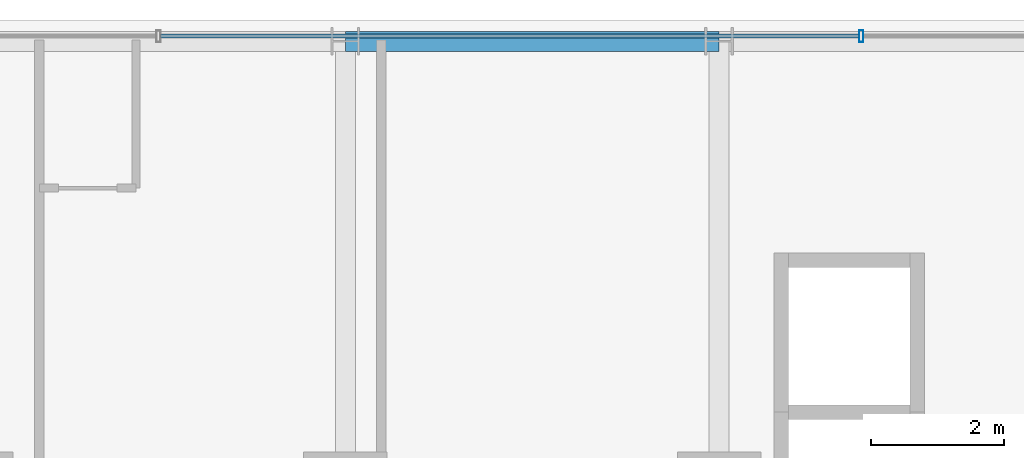
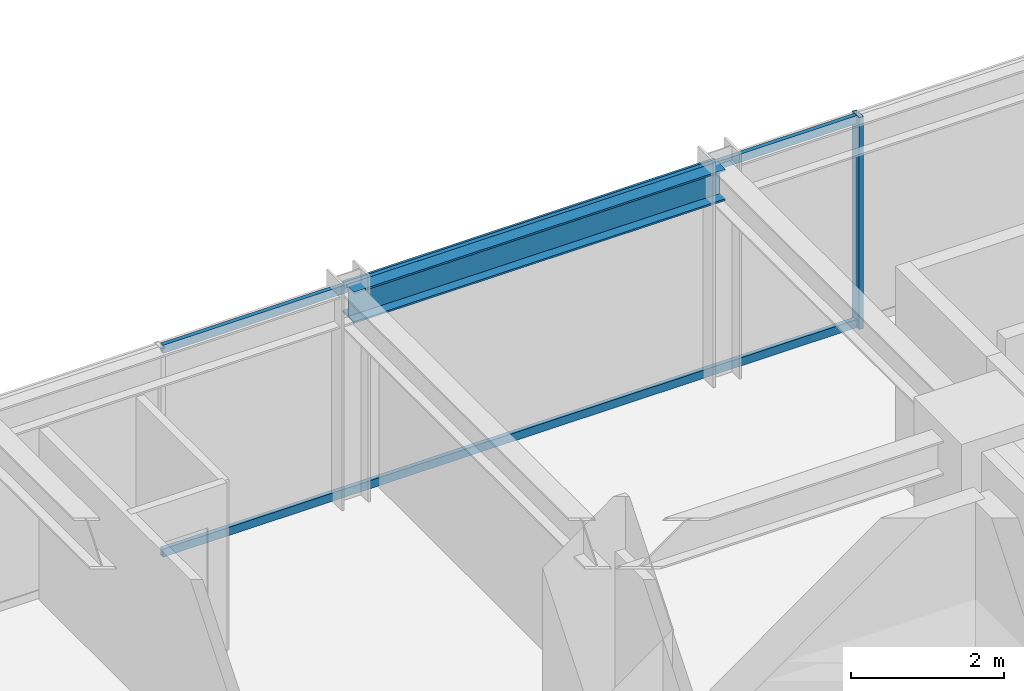
# One storey, part 22 of 31: 3 members, 1 beam, 1 element without a shape of its own.
"""IFC4 building model written with IfcOpenShell, lengths in metres."""

import ifcopenshell
import ifcopenshell.guid

model = None  # the IFC model being written
_history = None  # IfcOwnerHistory: only IFC2X3 demands one
_inside = {}  # id of a spatial element -> (the spatial element, [elements in it])
_under = {}  # id of a project, library or spatial element -> (it, [spatial elements below it])
_declared = {}  # id of a project -> (the project, [libraries it declares])
_typed = {}  # id of a type object -> (the type object, [elements of that type])
_made_of = {}  # id of a material, layer set ... -> (it, [elements and type objects made of it])


def new_model(schema):
    """Start an empty IFC model of exactly this schema.

    Asked for "IFC4X3", IfcOpenShell would pick the latest addendum, in which some entities
    have other attributes; the version numbers below select the first issue.
    IFC2X3 requires an IfcOwnerHistory on every rooted entity: one is made here for all.
    """
    global model, _history
    if schema == "IFC4X3":
        model = ifcopenshell.file(schema_version=(4, 3, 0, 0))
    else:
        model = ifcopenshell.file(schema=schema)
    _inside.clear()
    _under.clear()
    _declared.clear()
    _typed.clear()
    _made_of.clear()
    _history = None
    if model.schema == "IFC2X3":
        org = make("IfcOrganization", Name="unknown")
        user = make(
            "IfcPersonAndOrganization",
            ThePerson=make("IfcPerson", FamilyName="unknown"),
            TheOrganization=org,
        )
        app = make(
            "IfcApplication",
            ApplicationDeveloper=org,
            Version="unknown",
            ApplicationFullName="unknown",
            ApplicationIdentifier="unknown",
        )
        _history = make(
            "IfcOwnerHistory",
            OwningUser=user,
            OwningApplication=app,
            ChangeAction="ADDED",
            CreationDate=0,
        )
    return model


def make(cls, **values):
    """One entity of the class cls with the attributes given. An attribute that is None is left unset."""
    return model.create_entity(
        cls, **{name: value for name, value in values.items() if value is not None}
    )


def rooted(cls, **values):
    """An entity with a GlobalId (a new one), such as an element, a storey or a relation."""
    return make(cls, GlobalId=ifcopenshell.guid.new(), OwnerHistory=_history, **values)


def si_unit(unit_type, name, prefix=None):
    """IfcSIUnit, for example si_unit("LENGTHUNIT", "METRE", prefix="MILLI")."""
    return make("IfcSIUnit", UnitType=unit_type, Prefix=prefix, Name=name)


def assignment(units):
    """IfcUnitAssignment: the units of a project."""
    return None if units is None else make("IfcUnitAssignment", Units=units)


def point(xyz):
    """IfcCartesianPoint."""
    return None if xyz is None else make("IfcCartesianPoint", Coordinates=xyz)


def direction(xyz):
    """IfcDirection."""
    return None if xyz is None else make("IfcDirection", DirectionRatios=xyz)


def frame(location, z_axis=None, x_axis=None):
    """IfcAxis2Placement3D, a coordinate frame: its origin and axes. An axis left out is left unset."""
    return make(
        "IfcAxis2Placement3D",
        Location=point(location),
        Axis=direction(z_axis),
        RefDirection=direction(x_axis),
    )


def frame_2d(location, x_axis=None):
    """IfcAxis2Placement2D, a coordinate frame in the plane: its origin and x axis."""
    return make(
        "IfcAxis2Placement2D", Location=point(location), RefDirection=direction(x_axis)
    )


def origin():
    """The frame at (0, 0, 0) with its axes left unset."""
    return frame((0.0, 0.0, 0.0))


def origin_2d():
    """The frame at (0, 0) in the plane with its x axis left unset."""
    return frame_2d((0.0, 0.0))


def place(relative_to, where):
    """IfcLocalPlacement: puts the frame where relative to a parent placement (None: the world)."""
    return make(
        "IfcLocalPlacement", PlacementRelTo=relative_to, RelativePlacement=where
    )


def context(
    kind, dimensions, precision=None, world=None, true_north=None, identifier=None
):
    """IfcGeometricRepresentationContext, for example the 3D "Model" context."""
    return make(
        "IfcGeometricRepresentationContext",
        ContextIdentifier=identifier,
        ContextType=kind,
        CoordinateSpaceDimension=dimensions,
        Precision=precision,
        WorldCoordinateSystem=world,
        TrueNorth=true_north,
    )


def subcontext(parent, identifier, kind, view, scale=None):
    """IfcGeometricRepresentationSubContext, for example "Body" below "Model"."""
    return make(
        "IfcGeometricRepresentationSubContext",
        ContextIdentifier=identifier,
        ContextType=kind,
        ParentContext=parent,
        TargetScale=scale,
        TargetView=view,
    )


def project(units=None, contexts=None):
    """IfcProject with its units and contexts."""
    return rooted(
        "IfcProject",
        Name="project",
        RepresentationContexts=contexts,
        UnitsInContext=assignment(units),
    )


def spatial(cls, under=None, at=None, **own):
    """A site, building, storey or space (cls), placed at a placement, below another one or the project."""
    s = rooted(cls, ObjectPlacement=at, **own)
    if under is not None:
        _under.setdefault(under.id(), (under, []))[1].append(s)
    return s


def profile(cls, at=None, kind="AREA", **sizes):
    """A parametric profile (cls). Its sizes go by their IFC names, for example OverallWidth=200.0."""
    return make(cls, ProfileType=kind, Position=at, **sizes)


def hollow_rectangle(**sizes):
    """IfcRectangleHollowProfileDef."""
    return profile("IfcRectangleHollowProfileDef", **sizes)


def i_section(**sizes):
    """IfcIShapeProfileDef."""
    return profile("IfcIShapeProfileDef", **sizes)


def extrude(swept, where, along, depth):
    """IfcExtrudedAreaSolid: the profile swept, set in the frame where, extruded along a direction by depth."""
    return make(
        "IfcExtrudedAreaSolid",
        SweptArea=swept,
        Position=where,
        ExtrudedDirection=direction(along),
        Depth=depth,
    )


def shape(context_of_items, identifier, shape_type, items):
    """IfcShapeRepresentation: the items that make up one representation, for example the "Body"."""
    return make(
        "IfcShapeRepresentation",
        ContextOfItems=context_of_items,
        RepresentationIdentifier=identifier,
        RepresentationType=shape_type,
        Items=items,
    )


def source(mapping_origin, context_of_items, identifier, shape_type, items):
    """IfcRepresentationMap: a shape defined once, which mapped items show again and again."""
    return make(
        "IfcRepresentationMap",
        MappingOrigin=mapping_origin,
        MappedRepresentation=shape(context_of_items, identifier, shape_type, items),
    )


def transform(
    local_origin,
    x_axis=None,
    y_axis=None,
    z_axis=None,
    scale=None,
    scale2=None,
    scale3=None,
    uniform=True,
):
    """IfcCartesianTransformationOperator3D, or its non-uniform kind. x_axis, y_axis, z_axis: its Axis1, 2, 3."""
    if uniform:
        return make(
            "IfcCartesianTransformationOperator3D",
            Axis1=direction(x_axis),
            Axis2=direction(y_axis),
            LocalOrigin=point(local_origin),
            Scale=scale,
            Axis3=direction(z_axis),
        )
    return make(
        "IfcCartesianTransformationOperator3DnonUniform",
        Axis1=direction(x_axis),
        Axis2=direction(y_axis),
        LocalOrigin=point(local_origin),
        Scale=scale,
        Axis3=direction(z_axis),
        Scale2=scale2,
        Scale3=scale3,
    )


def mapped(mapping_source, mapping_target):
    """IfcMappedItem: shows the shape of a source again, moved by a transform."""
    return make(
        "IfcMappedItem", MappingSource=mapping_source, MappingTarget=mapping_target
    )


def material(Name=None, Category=None):
    """IfcMaterial."""
    return make("IfcMaterial", Name=Name, Category=Category)


def material_profile(
    of_material, cross_section, Name=None, Category=None, Priority=None
):
    """IfcMaterialProfile: a cross section and its material."""
    return make(
        "IfcMaterialProfile",
        Name=Name,
        Material=of_material,
        Profile=cross_section,
        Priority=Priority,
        Category=Category,
    )


def profile_set(profiles, Name=None, composite=None):
    """IfcMaterialProfileSet."""
    return make(
        "IfcMaterialProfileSet",
        Name=Name,
        MaterialProfiles=profiles,
        CompositeProfile=composite,
    )


def made_of(thing, what):
    """Note that an element or type object is made of a material, layer set ...; save() writes the relation."""
    if what is not None:
        _made_of.setdefault(what.id(), (what, []))[1].append(thing)
    return thing


def type_object(cls, material=None, **own):
    """A type object (cls), such as IfcWallType, which elements share."""
    return made_of(rooted(cls, **own), material)


def element(
    cls,
    number,
    at=None,
    inside=None,
    cuts=None,
    type_object=None,
    material=None,
    context=None,
    identifier="Body",
    shape_type=None,
    held_by="IfcProductDefinitionShape",
    body=None,
    shapes=None,
    **own,
):
    """One element of the class cls, such as IfcWall. Its Tag is "e" and its number.

    at: its placement. inside: the storey or other place that contains it. cuts: it is an
    opening in that element (IfcRelVoidsElement). A single representation is given by context,
    identifier, shape_type and body (its items); several are given by shapes. held_by: the class
    of the entity that holds the representations. save() writes the other relations.
    """
    e = rooted(cls, Tag="e%d" % number, ObjectPlacement=at, **own)
    if body is not None:
        shapes = [shape(context, identifier, shape_type, body)]
    if shapes is not None:
        e.Representation = make(held_by, Representations=shapes)
    if inside is not None:
        _inside.setdefault(inside.id(), (inside, []))[1].append(e)
    if cuts is not None:
        rooted(
            "IfcRelVoidsElement", RelatingBuildingElement=cuts, RelatedOpeningElement=e
        )
    if type_object is not None:
        _typed.setdefault(type_object.id(), (type_object, []))[1].append(e)
    return made_of(e, material)


def aggregate(whole, parts):
    """IfcRelAggregates: a whole, such as a stair, and the parts it consists of."""
    return rooted("IfcRelAggregates", RelatingObject=whole, RelatedObjects=parts)


def save(model, path):
    """Write the relations noted so far, then the file.

    IfcRelAggregates (storeys below a building ...), IfcRelContainedInSpatialStructure (elements
    in a storey), IfcRelDefinesByType, IfcRelAssociatesMaterial and IfcRelDeclares: one each for
    every whole, place, type object, material and project.
    """
    for whole, parts in _under.values():
        aggregate(whole, parts)
    for where, things in _inside.values():
        rooted(
            "IfcRelContainedInSpatialStructure",
            RelatedElements=things,
            RelatingStructure=where,
        )
    for kind, things in _typed.values():
        rooted("IfcRelDefinesByType", RelatedObjects=things, RelatingType=kind)
    for what, things in _made_of.values():
        rooted("IfcRelAssociatesMaterial", RelatedObjects=things, RelatingMaterial=what)
    for by, libraries in _declared.values():
        rooted("IfcRelDeclares", RelatingContext=by, RelatedDefinitions=libraries)
    model.write(path)


model = new_model("IFC4")

# Units and contexts
model_context = context("Model", 3, precision=1e-05, world=origin(), true_north=direction((0.0, 1.0)))
body_context = subcontext(model_context, "Body", "Model", "MODEL_VIEW")
ifc_project = project(units=[si_unit("LENGTHUNIT", "METRE"), si_unit("AREAUNIT", "SQUARE_METRE"), si_unit("VOLUMEUNIT", "CUBIC_METRE"), si_unit("PLANEANGLEUNIT", "RADIAN"), si_unit("MASSUNIT", "GRAM", prefix="KILO")], contexts=[model_context])

# Site, building, storey
site_placement = place(None, origin())
site = spatial("IfcSite", under=ifc_project, at=site_placement, CompositionType="ELEMENT")
building_placement = place(site_placement, origin())
building = spatial("IfcBuilding", under=site, at=building_placement, Name="Nahalor Promenade Grand Hotel", CompositionType="ELEMENT")
storey_placement = place(building_placement, frame((0.0, 0.0, 95.60009765625)))
storey = spatial("IfcBuildingStorey", under=building, at=storey_placement, Name="L23", CompositionType="ELEMENT", Elevation=95.60009765625)

# Beam
ifc_material_1 = material(Name="Steel S355JR", Category="steel")
ifc_material_profile_1 = material_profile(ifc_material_1, i_section(OverallWidth=0.3, OverallDepth=0.5, WebThickness=0.0145, FlangeThickness=0.028, at=origin_2d()), Name="HEB 500")
ifc_profile_set_1 = profile_set([ifc_material_profile_1], Name="Steel S355JR")
beam_type = type_object("IfcBeamType", Name="Beam-Spandrel-HEB500", PredefinedType="SPANDREL", material=ifc_profile_set_1)
shared_shape_1 = source(origin(), body_context, "Body", "SweptSolid", [
    extrude(i_section(OverallWidth=0.3, OverallDepth=0.5, WebThickness=0.0145, FlangeThickness=0.028, at=origin_2d()), origin(), (0.0, 0.0, 1.0), 5.599853515625),
])
beam_placement = place(storey_placement, frame((2.800048828125, 23.780029296875, 3.1298828125), z_axis=(1.0, 0.0, 0.0), x_axis=(0.0, 1.0, 0.0)))
element("IfcBeam", 1, at=beam_placement, inside=storey, type_object=beam_type, Name="BM-L23-SP-N-3", PredefinedType="SPANDREL", context=body_context, shape_type="MappedRepresentation", body=[
    mapped(shared_shape_1, transform((0.0, 0.0, 0.0), scale=1.0)),
])

# Curtain wall, members
ifc_material_2 = material(Name="Anodised Bronze Aluminium EN AW-6063 T6", Category="aluminium")
curtain_wall_type = type_object("IfcCurtainWallType", Name="CW2 Typical Hotel Flush Bronze Unitised Curtain Wall", PredefinedType="USERDEFINED", material=ifc_material_2)
curtain_wall_placement = place(storey_placement, origin())
curtain_wall = element("IfcCurtainWall", 2, at=curtain_wall_placement, inside=storey, type_object=curtain_wall_type, Name="L23 Curtain Wall CW-L23-N-1", ObjectType="UNITISED_CURTAIN_WALL", PredefinedType="USERDEFINED")
ifc_material_profile_2 = material_profile(ifc_material_2, hollow_rectangle(XDim=0.065, YDim=0.18, WallThickness=0.004, at=origin_2d()), Name="CWM 65x180x4")
ifc_profile_set_2 = profile_set([ifc_material_profile_2], Name="Anodised Bronze Aluminium EN AW-6063 T6")
member_type_1 = type_object("IfcMemberType", Name="CWM2 Typical Bronze Mullion 65x180", PredefinedType="MULLION", material=ifc_profile_set_2)
shared_shape_2 = source(origin(), body_context, "Body", "SweptSolid", [
    extrude(hollow_rectangle(XDim=0.065, YDim=0.18, WallThickness=0.004, at=origin_2d()), origin(), (0.0, 0.0, 1.0), 3.3798828125),
])
member_1_placement = place(storey_placement, frame((10.530029296875, 23.860107421875, 0.0), z_axis=(0.0, 0.0, 1.0), x_axis=(1.0, 0.0, 0.0)))
member_1 = element("IfcMember", 3, at=member_1_placement, type_object=member_type_1, Name="CW-L23-N-1 Mullion 3", PredefinedType="MULLION", context=body_context, shape_type="MappedRepresentation", body=[
    mapped(shared_shape_2, transform((0.0, 0.0, 0.0), scale=1.0)),
])
ifc_material_profile_3 = material_profile(ifc_material_2, hollow_rectangle(XDim=0.065, YDim=0.13, WallThickness=0.004, at=origin_2d()), Name="CWT 65x130x4")
ifc_profile_set_3 = profile_set([ifc_material_profile_3], Name="Anodised Bronze Aluminium EN AW-6063 T6")
member_type_2 = type_object("IfcMemberType", Name="CWT2 Typical Bronze Transom 65x130", PredefinedType="USERDEFINED", material=ifc_profile_set_3)
shared_shape_3 = source(origin(), body_context, "Body", "SweptSolid", [
    extrude(hollow_rectangle(XDim=0.065, YDim=0.13, WallThickness=0.004, at=origin_2d()), origin(), (0.0, 0.0, 1.0), 10.465087890625),
])
member_2_placement = place(storey_placement, frame((0.032470703125, 23.860107421875, 0.06494140625), z_axis=(1.0, 0.0, 0.0), x_axis=(0.0, 1.0, 0.0)))
member_2 = element("IfcMember", 4, at=member_2_placement, type_object=member_type_2, Name="CW-L23-N-1 Transom 2-0", ObjectType="TRANSOM", PredefinedType="USERDEFINED", context=body_context, shape_type="MappedRepresentation", body=[
    mapped(shared_shape_3, transform((0.0, 0.0, 0.0), scale=1.0)),
])
member_3_placement = place(storey_placement, frame((0.032470703125, 23.860107421875, 3.31494140625), z_axis=(1.0, 0.0, 0.0), x_axis=(0.0, 1.0, 0.0)))
member_3 = element("IfcMember", 5, at=member_3_placement, type_object=member_type_2, Name="CW-L23-N-1 Transom 2-1", ObjectType="TRANSOM", PredefinedType="USERDEFINED", context=body_context, shape_type="MappedRepresentation", body=[
    mapped(shared_shape_3, transform((0.0, 0.0, 0.0), scale=1.0)),
])
aggregate(curtain_wall, [member_1, member_2, member_3])

save(model, "model.ifc")
